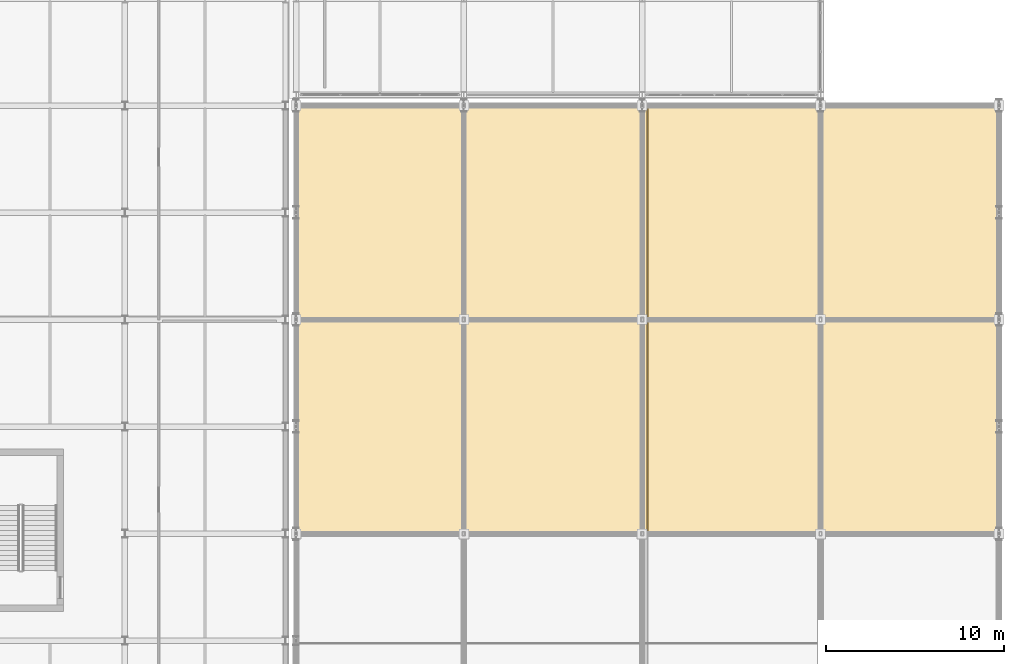
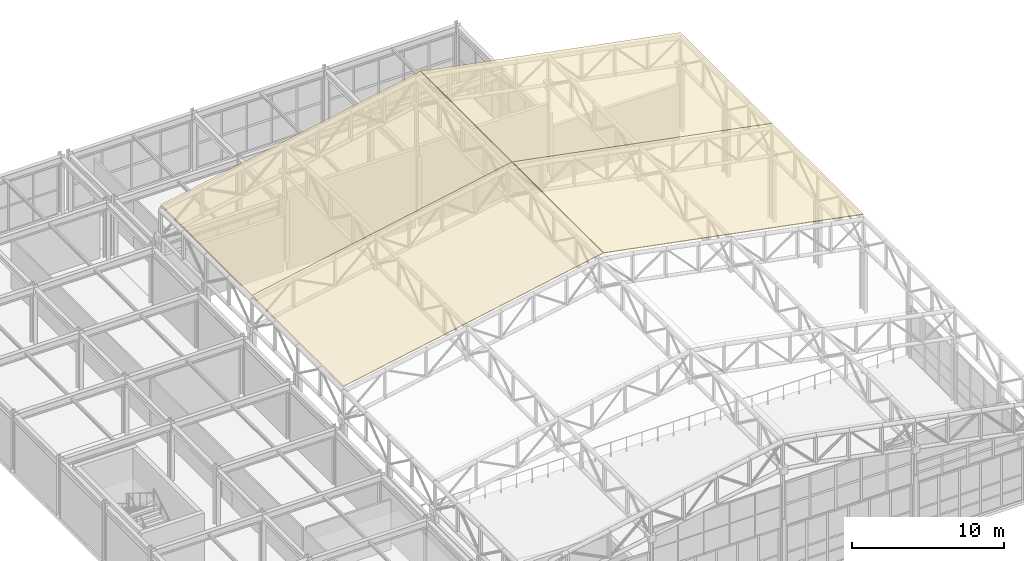
# One storey, part 112 of 112: 4 coverings.
"""IFC4 building model written with IfcOpenShell, lengths in metres."""

import ifcopenshell
import ifcopenshell.guid

model = None  # the IFC model being written
_history = None  # IfcOwnerHistory: only IFC2X3 demands one
_inside = {}  # id of a spatial element -> (the spatial element, [elements in it])
_under = {}  # id of a project, library or spatial element -> (it, [spatial elements below it])
_declared = {}  # id of a project -> (the project, [libraries it declares])
_typed = {}  # id of a type object -> (the type object, [elements of that type])
_made_of = {}  # id of a material, layer set ... -> (it, [elements and type objects made of it])


def new_model(schema):
    """Start an empty IFC model of exactly this schema.

    Asked for "IFC4X3", IfcOpenShell would pick the latest addendum, in which some entities
    have other attributes; the version numbers below select the first issue.
    IFC2X3 requires an IfcOwnerHistory on every rooted entity: one is made here for all.
    """
    global model, _history
    if schema == "IFC4X3":
        model = ifcopenshell.file(schema_version=(4, 3, 0, 0))
    else:
        model = ifcopenshell.file(schema=schema)
    _inside.clear()
    _under.clear()
    _declared.clear()
    _typed.clear()
    _made_of.clear()
    _history = None
    if model.schema == "IFC2X3":
        org = make("IfcOrganization", Name="unknown")
        user = make(
            "IfcPersonAndOrganization",
            ThePerson=make("IfcPerson", FamilyName="unknown"),
            TheOrganization=org,
        )
        app = make(
            "IfcApplication",
            ApplicationDeveloper=org,
            Version="unknown",
            ApplicationFullName="unknown",
            ApplicationIdentifier="unknown",
        )
        _history = make(
            "IfcOwnerHistory",
            OwningUser=user,
            OwningApplication=app,
            ChangeAction="ADDED",
            CreationDate=0,
        )
    return model


def make(cls, **values):
    """One entity of the class cls with the attributes given. An attribute that is None is left unset."""
    return model.create_entity(
        cls, **{name: value for name, value in values.items() if value is not None}
    )


def rooted(cls, **values):
    """An entity with a GlobalId (a new one), such as an element, a storey or a relation."""
    return make(cls, GlobalId=ifcopenshell.guid.new(), OwnerHistory=_history, **values)


def si_unit(unit_type, name, prefix=None):
    """IfcSIUnit, for example si_unit("LENGTHUNIT", "METRE", prefix="MILLI")."""
    return make("IfcSIUnit", UnitType=unit_type, Prefix=prefix, Name=name)


def assignment(units):
    """IfcUnitAssignment: the units of a project."""
    return None if units is None else make("IfcUnitAssignment", Units=units)


def point(xyz):
    """IfcCartesianPoint."""
    return None if xyz is None else make("IfcCartesianPoint", Coordinates=xyz)


def direction(xyz):
    """IfcDirection."""
    return None if xyz is None else make("IfcDirection", DirectionRatios=xyz)


def frame(location, z_axis=None, x_axis=None):
    """IfcAxis2Placement3D, a coordinate frame: its origin and axes. An axis left out is left unset."""
    return make(
        "IfcAxis2Placement3D",
        Location=point(location),
        Axis=direction(z_axis),
        RefDirection=direction(x_axis),
    )


def origin():
    """The frame at (0, 0, 0) with its axes left unset."""
    return frame((0.0, 0.0, 0.0))


def place(relative_to, where):
    """IfcLocalPlacement: puts the frame where relative to a parent placement (None: the world)."""
    return make(
        "IfcLocalPlacement", PlacementRelTo=relative_to, RelativePlacement=where
    )


def context(
    kind, dimensions, precision=None, world=None, true_north=None, identifier=None
):
    """IfcGeometricRepresentationContext, for example the 3D "Model" context."""
    return make(
        "IfcGeometricRepresentationContext",
        ContextIdentifier=identifier,
        ContextType=kind,
        CoordinateSpaceDimension=dimensions,
        Precision=precision,
        WorldCoordinateSystem=world,
        TrueNorth=true_north,
    )


def subcontext(parent, identifier, kind, view, scale=None):
    """IfcGeometricRepresentationSubContext, for example "Body" below "Model"."""
    return make(
        "IfcGeometricRepresentationSubContext",
        ContextIdentifier=identifier,
        ContextType=kind,
        ParentContext=parent,
        TargetScale=scale,
        TargetView=view,
    )


def project(units=None, contexts=None):
    """IfcProject with its units and contexts."""
    return rooted(
        "IfcProject",
        Name="project",
        RepresentationContexts=contexts,
        UnitsInContext=assignment(units),
    )


def spatial(cls, under=None, at=None, **own):
    """A site, building, storey or space (cls), placed at a placement, below another one or the project."""
    s = rooted(cls, ObjectPlacement=at, **own)
    if under is not None:
        _under.setdefault(under.id(), (under, []))[1].append(s)
    return s


def polyline(points):
    """IfcPolyline through the points."""
    return make("IfcPolyline", Points=[point(p) for p in points])


def outline(outer, holes=None, kind="AREA"):
    """IfcArbitraryClosedProfileDef: a profile drawn as a closed curve; with holes, ...WithVoids."""
    if holes is None:
        return make("IfcArbitraryClosedProfileDef", ProfileType=kind, OuterCurve=outer)
    return make(
        "IfcArbitraryProfileDefWithVoids",
        ProfileType=kind,
        OuterCurve=outer,
        InnerCurves=holes,
    )


def extrude(swept, where, along, depth):
    """IfcExtrudedAreaSolid: the profile swept, set in the frame where, extruded along a direction by depth."""
    return make(
        "IfcExtrudedAreaSolid",
        SweptArea=swept,
        Position=where,
        ExtrudedDirection=direction(along),
        Depth=depth,
    )


def shape(context_of_items, identifier, shape_type, items):
    """IfcShapeRepresentation: the items that make up one representation, for example the "Body"."""
    return make(
        "IfcShapeRepresentation",
        ContextOfItems=context_of_items,
        RepresentationIdentifier=identifier,
        RepresentationType=shape_type,
        Items=items,
    )


def material(Name=None, Category=None):
    """IfcMaterial."""
    return make("IfcMaterial", Name=Name, Category=Category)


def layer(
    of_material, thickness, ventilated=None, Name=None, Category=None, Priority=None
):
    """IfcMaterialLayer: one layer of a wall or slab, of a material (None: an air gap)."""
    return make(
        "IfcMaterialLayer",
        Material=of_material,
        LayerThickness=thickness,
        IsVentilated=ventilated,
        Name=Name,
        Category=Category,
        Priority=Priority,
    )


def layer_set(layers, Name=None):
    """IfcMaterialLayerSet."""
    return make("IfcMaterialLayerSet", MaterialLayers=layers, LayerSetName=Name)


def made_of(thing, what):
    """Note that an element or type object is made of a material, layer set ...; save() writes the relation."""
    if what is not None:
        _made_of.setdefault(what.id(), (what, []))[1].append(thing)
    return thing


def type_object(cls, material=None, **own):
    """A type object (cls), such as IfcWallType, which elements share."""
    return made_of(rooted(cls, **own), material)


def element(
    cls,
    number,
    at=None,
    inside=None,
    cuts=None,
    type_object=None,
    material=None,
    context=None,
    identifier="Body",
    shape_type=None,
    held_by="IfcProductDefinitionShape",
    body=None,
    shapes=None,
    **own,
):
    """One element of the class cls, such as IfcWall. Its Tag is "e" and its number.

    at: its placement. inside: the storey or other place that contains it. cuts: it is an
    opening in that element (IfcRelVoidsElement). A single representation is given by context,
    identifier, shape_type and body (its items); several are given by shapes. held_by: the class
    of the entity that holds the representations. save() writes the other relations.
    """
    e = rooted(cls, Tag="e%d" % number, ObjectPlacement=at, **own)
    if body is not None:
        shapes = [shape(context, identifier, shape_type, body)]
    if shapes is not None:
        e.Representation = make(held_by, Representations=shapes)
    if inside is not None:
        _inside.setdefault(inside.id(), (inside, []))[1].append(e)
    if cuts is not None:
        rooted(
            "IfcRelVoidsElement", RelatingBuildingElement=cuts, RelatedOpeningElement=e
        )
    if type_object is not None:
        _typed.setdefault(type_object.id(), (type_object, []))[1].append(e)
    return made_of(e, material)


def aggregate(whole, parts):
    """IfcRelAggregates: a whole, such as a stair, and the parts it consists of."""
    return rooted("IfcRelAggregates", RelatingObject=whole, RelatedObjects=parts)


def save(model, path):
    """Write the relations noted so far, then the file.

    IfcRelAggregates (storeys below a building ...), IfcRelContainedInSpatialStructure (elements
    in a storey), IfcRelDefinesByType, IfcRelAssociatesMaterial and IfcRelDeclares: one each for
    every whole, place, type object, material and project.
    """
    for whole, parts in _under.values():
        aggregate(whole, parts)
    for where, things in _inside.values():
        rooted(
            "IfcRelContainedInSpatialStructure",
            RelatedElements=things,
            RelatingStructure=where,
        )
    for kind, things in _typed.values():
        rooted("IfcRelDefinesByType", RelatedObjects=things, RelatingType=kind)
    for what, things in _made_of.values():
        rooted("IfcRelAssociatesMaterial", RelatedObjects=things, RelatingMaterial=what)
    for by, libraries in _declared.values():
        rooted("IfcRelDeclares", RelatingContext=by, RelatedDefinitions=libraries)
    model.write(path)


model = new_model("IFC4")

# Units and contexts
model_context = context("Model", 3, precision=1e-05, world=origin(), true_north=direction((0.0, 1.0)))
body_context = subcontext(model_context, "Body", "Model", "MODEL_VIEW")
ifc_project = project(units=[si_unit("LENGTHUNIT", "METRE"), si_unit("AREAUNIT", "SQUARE_METRE"), si_unit("VOLUMEUNIT", "CUBIC_METRE"), si_unit("PLANEANGLEUNIT", "RADIAN"), si_unit("MASSUNIT", "GRAM", prefix="KILO")], contexts=[model_context])

# Site, building, storey
site_placement = place(None, origin())
site = spatial("IfcSite", under=ifc_project, at=site_placement, CompositionType="ELEMENT")
building_placement = place(site_placement, origin())
building = spatial("IfcBuilding", under=site, at=building_placement, Name="Kaldris Quays Convention Centre", CompositionType="ELEMENT")
storey_placement = place(building_placement, frame((0.0, 0.0, 16.800048828125)))
storey = spatial("IfcBuildingStorey", under=building, at=storey_placement, Name="L03", CompositionType="ELEMENT", Elevation=16.800048828125)

# Coverings
ifc_material = material(Name="Alabaster white star-pierced anodized aluminium panel", Category="aluminium")
ifc_layer = layer(ifc_material, 0.054931640625)
ifc_layer_set = layer_set([ifc_layer], Name="Alabaster white star-pierced anodized aluminium panel")
covering_type = type_object("IfcCoveringType", Name="ALABASTER WHITE STANDING SEAM ROOF SRF1", PredefinedType="ROOFING", material=ifc_layer_set)
for number, where, z_axis, x_axis, name in (
    (1, (164.60009765625, 80.0, 7.73583984375), (-0.189403212689, 0.0, 0.981899395571), (0.981899395571, 0.0, 0.189403212689), "Hall Alabaster White Standing-Seam Roof Panel 17"),
    (2, (164.60009765625, 92.0, 7.73583984375), (-0.189403212689, 0.0, 0.981899395571), (0.981899395571, 0.0, 0.189403212689), "Hall Alabaster White Standing-Seam Roof Panel 18"),
):
    element("IfcCovering", number, at=place(storey_placement, frame(where, z_axis=z_axis, x_axis=x_axis)), inside=storey, type_object=covering_type, Name=name, PredefinedType="ROOFING", context=body_context, shape_type="SweptSolid", body=[
        extrude(outline(polyline([(0.0, 0.0), (20.037495466685122, 0.0), (20.037495466685122, 12.0), (0.0, 12.0), (0.0, 0.0)])), origin(), (0.0, 0.0, -1.0), 0.054931640625),
    ])
for number, where, z_axis, x_axis, name in (
    (3, (184.324951171875, 80.0, 11.531005859375), (0.189400946762, 0.0, 0.981899832654), (0.981899832654, 0.0, -0.189400946762), "Hall Alabaster White Standing-Seam Roof Panel 21"),
    (4, (184.324951171875, 92.0, 11.531005859375), (0.189400946762, 0.0, 0.981899832654), (0.981899832654, 0.0, -0.189400946762), "Hall Alabaster White Standing-Seam Roof Panel 22"),
):
    element("IfcCovering", number, at=place(storey_placement, frame(where, z_axis=z_axis, x_axis=x_axis)), inside=storey, type_object=covering_type, Name=name, PredefinedType="ROOFING", context=body_context, shape_type="SweptSolid", body=[
        extrude(outline(polyline([(0.0, 0.0), (20.037735188270602, 0.0), (20.037735188270602, 12.0), (0.0, 12.0), (0.0, 0.0)])), origin(), (0.0, 0.0, -1.0), 0.054931640625),
    ])

save(model, "model.ifc")
